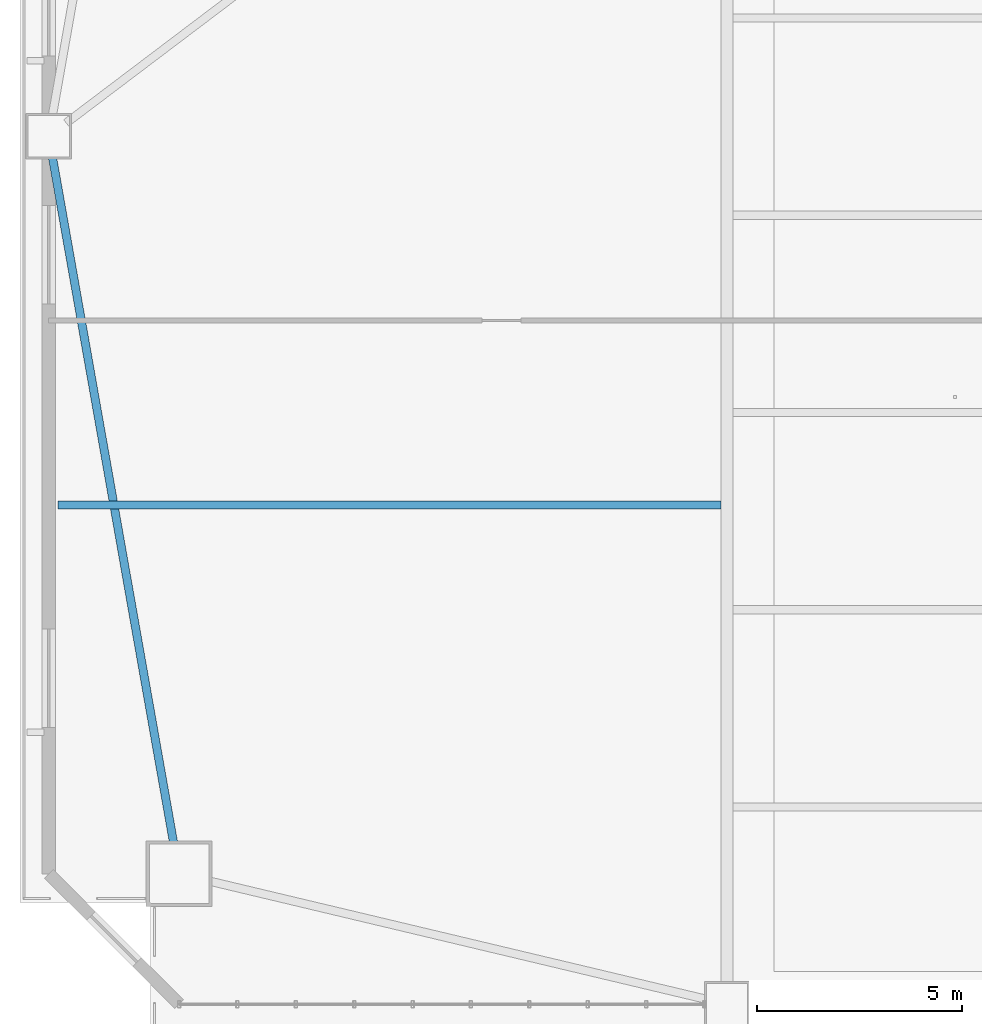
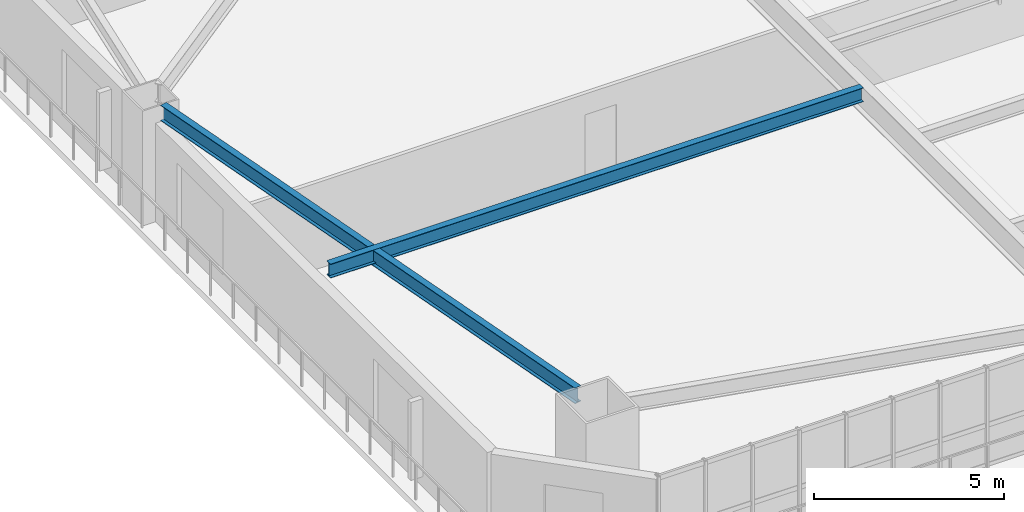
# One storey, part 3 of 17: 2 beams.
"""IFC4 building model written with IfcOpenShell, lengths in metres."""

from ifc_helpers import new_model, si_unit, direction, frame, origin, origin_2d, place, context, subcontext, project, spatial, i_section, extrude, source, transform, mapped, material, material_profile, profile_set, type_object, element, save


model = new_model("IFC4")

# Units and contexts
model_context = context("Model", 3, precision=1e-05, world=origin(), true_north=direction((0.0, 1.0)))
body_context = subcontext(model_context, "Body", "Model", "MODEL_VIEW")
ifc_project = project(units=[si_unit("LENGTHUNIT", "METRE"), si_unit("AREAUNIT", "SQUARE_METRE"), si_unit("VOLUMEUNIT", "CUBIC_METRE"), si_unit("PLANEANGLEUNIT", "RADIAN"), si_unit("MASSUNIT", "GRAM", prefix="KILO")], contexts=[model_context])

# Site, building, storey
site_placement = place(None, origin())
site = spatial("IfcSite", under=ifc_project, at=site_placement, CompositionType="ELEMENT")
building_placement = place(site_placement, origin())
building = spatial("IfcBuilding", under=site, at=building_placement, Name="Giltprow Tower", CompositionType="ELEMENT")
storey_placement = place(building_placement, frame((0.0, 0.0, 41.0)))
storey = spatial("IfcBuildingStorey", under=building, at=storey_placement, Name="L10", CompositionType="ELEMENT", Elevation=41.0)

# Beams
ifc_material = material(Name="Structural steel Q355B", Category="steel")
ifc_material_profile_1 = material_profile(ifc_material, i_section(OverallWidth=0.199951171875, OverallDepth=0.5, WebThickness=0.010009765625, FlangeThickness=0.01611328125, at=origin_2d()), Name="HN 500x200x10x16")
ifc_profile_set_1 = profile_set([ifc_material_profile_1], Name="Structural steel Q355B")
beam_type_1 = type_object("IfcBeamType", Name="BM-SPAN-HN500", PredefinedType="SPANDREL", material=ifc_profile_set_1)
shared_shape_1 = source(origin(), body_context, "Body", "SweptSolid", [
    extrude(i_section(OverallWidth=0.199951171875, OverallDepth=0.5, WebThickness=0.010009765625, FlangeThickness=0.01611328125, at=origin_2d()), origin(), (0.0, 0.0, 1.0), 16.920166015625),
])
beam_1_placement = place(storey_placement, frame((3.427978515625, 24.43603515625, 3.429931640625), z_axis=(0.173998519763, -0.98474591399, 0.0), x_axis=(0.98474591399, 0.173998519763, 0.0)))
element("IfcBeam", 1, at=beam_1_placement, inside=storey, type_object=beam_type_1, Name="L10 Perimeter Spandrel Beam W_MID-MC_SW", PredefinedType="SPANDREL", context=body_context, shape_type="MappedRepresentation", body=[
    mapped(shared_shape_1, transform((0.0, 0.0, 0.0), x_axis=(1.0, 0.0, 0.0), y_axis=(0.0, 1.0, 0.0), z_axis=(0.0, 0.0, 1.0), scale=1.0)),
])
ifc_material_profile_2 = material_profile(ifc_material, i_section(OverallWidth=0.199951171875, OverallDepth=0.449951171875, WebThickness=0.009033203125, FlangeThickness=0.013916015625, at=origin_2d()), Name="HN 450x200x9x14")
ifc_profile_set_2 = profile_set([ifc_material_profile_2], Name="Structural steel Q355B")
beam_type_2 = type_object("IfcBeamType", Name="BM-JOIST-HN450", PredefinedType="JOIST", material=ifc_profile_set_2)
shared_shape_2 = source(origin(), body_context, "Body", "SweptSolid", [
    extrude(i_section(OverallWidth=0.199951171875, OverallDepth=0.449951171875, WebThickness=0.009033203125, FlangeThickness=0.013916015625, at=origin_2d()), origin(), (0.0, 0.0, 1.0), 16.150146484375),
])
beam_2_placement = place(storey_placement, frame((3.554931640625, 15.98193359375, 3.455078125), z_axis=(1.0, 0.0, 0.0), x_axis=(0.0, 1.0, 0.0)))
element("IfcBeam", 2, at=beam_2_placement, inside=storey, type_object=beam_type_2, Name="L10 West Wing Floor Joist 1", PredefinedType="JOIST", context=body_context, shape_type="MappedRepresentation", body=[
    mapped(shared_shape_2, transform((0.0, 0.0, 0.0), x_axis=(1.0, 0.0, 0.0), y_axis=(0.0, 1.0, 0.0), z_axis=(0.0, 0.0, 1.0), scale=1.0)),
])

save(model, "model.ifc")
